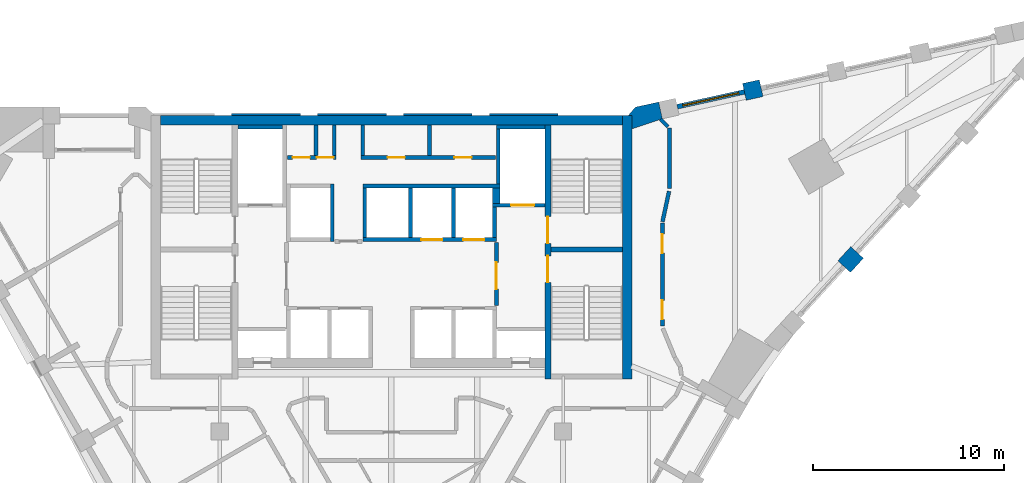
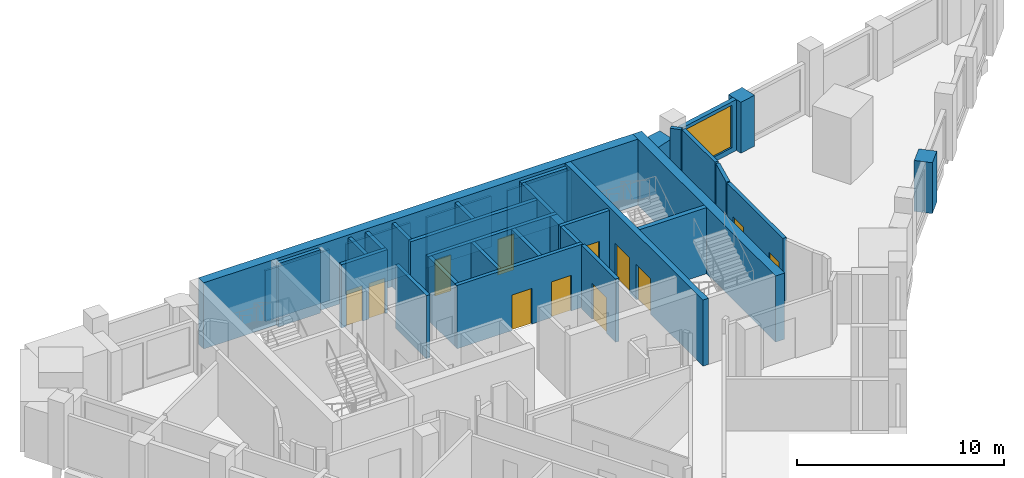
# One storey, part 6 of 8: 35 walls, 12 doors, 1 window, 13 openings.
"""IFC4 building model written with IfcOpenShell, lengths in metres."""

from ifc_helpers import new_model, si_unit, direction, frame, frame_2d, origin, place, context, subcontext, project, spatial, polyline, rectangle, outline, extrude, material, layer, layer_set, type_object, element, fill, save


model = new_model("IFC4")

# Units and contexts
model_context = context("Model", 3, precision=1e-05, world=origin(), true_north=direction((0.0, 1.0)))
body_context = subcontext(model_context, "Body", "Model", "MODEL_VIEW")
ifc_project = project(units=[si_unit("LENGTHUNIT", "METRE"), si_unit("AREAUNIT", "SQUARE_METRE"), si_unit("VOLUMEUNIT", "CUBIC_METRE"), si_unit("PLANEANGLEUNIT", "RADIAN"), si_unit("MASSUNIT", "GRAM", prefix="KILO")], contexts=[model_context])

# Site, building, storey
site_placement = place(None, origin())
site = spatial("IfcSite", under=ifc_project, at=site_placement, CompositionType="ELEMENT")
building_placement = place(site_placement, origin())
building = spatial("IfcBuilding", under=site, at=building_placement, Name="Calabash Gate Tower", CompositionType="ELEMENT")
storey_placement = place(building_placement, frame((0.0, 0.0, 271.60009765625)))
storey = spatial("IfcBuildingStorey", under=building, at=storey_placement, Name="L65", CompositionType="ELEMENT", Elevation=271.60009765625)

# Walls
ifc_material_1 = material(Name="Terracotta brick masonry, exposed face", Category="masonry")
ifc_layer_1 = layer(ifc_material_1, 0.89990234375)
ifc_layer_set_1 = layer_set([ifc_layer_1], Name="Brick end wall 900")
wall_type_1 = type_object("IfcWallType", Name="Brick end wall 900", PredefinedType="SOLIDWALL", material=ifc_layer_set_1)
wall_1_placement = place(storey_placement, frame((23.728515625, 11.135009765625, 0.0), z_axis=(0.0, 0.0, 1.0), x_axis=(0.674788120713, 0.738011512203, 0.0)))
element("IfcWall", 1, at=wall_1_placement, inside=storey, type_object=wall_type_1, Name="Brick pier S19 wedge3.1", PredefinedType="SOLIDWALL", context=body_context, shape_type="SweptSolid", body=[
    extrude(rectangle(XDim=1.00390625, YDim=0.89990234375, at=frame_2d((0.501953125, 0.0))), origin(), (0.0, 0.0, 1.0), 3.0),
])
wall_2_placement = place(storey_placement, frame((18.4990234375, 20.2919921875, 0.0), z_axis=(0.0, 0.0, 1.0), x_axis=(0.976473402733, 0.215637876437, 0.0)))
element("IfcWall", 2, at=wall_2_placement, inside=storey, type_object=wall_type_1, Name="Brick pier S19 wedge5.3", PredefinedType="SOLIDWALL", context=body_context, shape_type="SweptSolid", body=[
    extrude(rectangle(XDim=0.900146484375, YDim=0.89990234375, at=frame_2d((0.4501953125, 0.0))), origin(), (0.0, 0.0, 1.0), 3.0),
])
wall_3_placement = place(storey_placement, origin())
element("IfcWall", 3, at=wall_3_placement, inside=storey, type_object=wall_type_1, Name="Brick end wall S19 3", PredefinedType="SOLIDWALL", context=body_context, shape_type="SweptSolid", body=[
    extrude(outline(polyline([(14.201416015625, 18.883056640625), (14.0078125, 19.761962890625), (12.784423828125, 19.491943359375), (12.410400390625, 19.052490234375), (12.60009765625, 19.052490234375), (12.60009765625, 18.351806640625), (14.201416015625, 18.883056640625)])), origin(), (0.0, 0.0, 1.0), 3.0),
])
ifc_material_2 = material(Name="Gypsum board on steel studs, mineral wool", Category="steel")
ifc_layer_2 = layer(ifc_material_2, 0.199951171875)
ifc_layer_set_2 = layer_set([ifc_layer_2], Name="Core partition 200 gypsum board")
wall_type_2 = type_object("IfcWallType", Name="Core partition 200 gypsum board", PredefinedType="PARTITIONING", material=ifc_layer_set_2)
for number, where, z_axis, x_axis, name in (
    (4, (-3.949951171875, 16.95263671875, 0.0), (0.0, 0.0, 1.0), (0.0, 1.0, 0.0), "Core partition"),
    (5, (-3.0, 16.95263671875, 0.0), (0.0, 0.0, 1.0), (0.0, 1.0, 0.0), "Core partition"),
    (6, (-1.5, 16.95263671875, 0.0), (0.0, 0.0, 1.0), (0.0, 1.0, 0.0), "Core partition"),
    (7, (2.0, 16.95263671875, 0.0), (0.0, 0.0, 1.0), (0.0, 1.0, 0.0), "Core partition"),
):
    element("IfcWall", number, at=place(storey_placement, frame(where, z_axis=z_axis, x_axis=x_axis)), inside=storey, type_object=wall_type_2, Name=name, PredefinedType="PARTITIONING", context=body_context, shape_type="SweptSolid", body=[
        extrude(rectangle(XDim=1.599853515625, YDim=0.199951171875, at=frame_2d((0.7998046875, 0.0))), origin(), (0.0, 0.0, 1.0), 3.72998046875),
    ])
ifc_material_3 = material(Name="Concrete C60/75", Category="concrete")
ifc_layer_3 = layer(ifc_material_3, 0.25)
ifc_layer_set_3 = layer_set([ifc_layer_3], Name="Core wall 250 Concrete C60/75")
wall_type_3 = type_object("IfcWallType", Name="Core wall 250 Concrete C60/75", PredefinedType="SHEAR", material=ifc_layer_set_3)
wall_4_placement = place(storey_placement, frame((8.35009765625, 12.027587890625, 0.0), z_axis=(0.0, 0.0, 1.0), x_axis=(1.0, 0.0, 0.0)))
element("IfcWall", 8, at=wall_4_placement, inside=storey, type_object=wall_type_3, Name="Core wall Z5-MIDE L65", PredefinedType="SHEAR", context=body_context, shape_type="SweptSolid", body=[
    extrude(rectangle(XDim=3.75, YDim=0.25, at=frame_2d((1.875, 0.0))), origin(), (0.0, 0.0, 1.0), 3.89990234375),
])

# Wall, openings, doors
ifc_material_4 = material(Name="Concrete C60/75", Category="concrete")
ifc_layer_4 = layer(ifc_material_4, 0.300048828125)
ifc_layer_set_4 = layer_set([ifc_layer_4], Name="Core wall 300 Concrete C60/75")
wall_type_4 = type_object("IfcWallType", Name="Core wall 300 Concrete C60/75", PredefinedType="SHEAR", material=ifc_layer_set_4)
wall_5_placement = place(storey_placement, frame((8.199951171875, 5.252685546875, 0.0), z_axis=(0.0, 0.0, 1.0), x_axis=(0.0, 1.0, 0.0)))
wall_5 = element("IfcWall", 9, at=wall_5_placement, inside=storey, type_object=wall_type_4, Name="Core wall Z5-PARTE L65", PredefinedType="SHEAR", context=body_context, shape_type="SweptSolid", body=[
    extrude(rectangle(XDim=13.2998046875, YDim=0.300048828125, at=frame_2d((6.64990234375, 0.0))), origin(), (0.0, 0.0, 1.0), 3.89990234375),
])
opening_1_placement = place(wall_5_placement, frame((7.10009765625, 0.0, 0.0)))
opening_1 = element("IfcOpeningElement", 10, at=opening_1_placement, cuts=wall_5, Name="Opening O11-012", PredefinedType="OPENING", context=body_context, shape_type="SweptSolid", body=[
    extrude(rectangle(XDim=1.39990234375, YDim=2.10009765625, at=frame_2d((0.699951171875, 1.050048828125))), frame((0.0, 0.159912109375, 0.0), z_axis=(0.0, -1.0, 0.0), x_axis=(1.0, 0.0, 0.0)), (0.0, 0.0, 1.0), 0.320068359375),
])
opening_2_placement = place(wall_5_placement, frame((5.050048828125, 0.0, 0.0)))
opening_2 = element("IfcOpeningElement", 11, at=opening_2_placement, cuts=wall_5, Name="Opening O11-013", PredefinedType="OPENING", context=body_context, shape_type="SweptSolid", body=[
    extrude(rectangle(XDim=1.39990234375, YDim=2.10009765625, at=frame_2d((0.699951171875, 1.050048828125))), frame((0.0, 0.159912109375, 0.0), z_axis=(0.0, -1.0, 0.0), x_axis=(1.0, 0.0, 0.0)), (0.0, 0.0, 1.0), 0.320068359375),
])
ifc_material_5 = material(Name="Steel fire door set with fire-resisting glazing", Category="steel")
door_type_1 = type_object("IfcDoorType", Name="Fire door D05 1400x2100 FD90", OperationType="NOTDEFINED", PredefinedType="DOOR", material=ifc_material_5)
door_1_placement = place(opening_1_placement, origin())
door_1 = element("IfcDoor", 12, at=door_1_placement, inside=storey, type_object=door_type_1, Name="Exit stair door ST3", OperationType="SINGLE_SWING_RIGHT", OverallHeight=2.10009765625, OverallWidth=1.39990234375, PredefinedType="DOOR", context=body_context, shape_type="SweptSolid", body=[
    extrude(rectangle(XDim=1.39990234375, YDim=2.10009765625, at=frame_2d((0.699951171875, 1.050048828125))), frame((0.0, 0.02490234375, 0.0), z_axis=(0.0, -1.0, 0.0), x_axis=(1.0, 0.0, 0.0)), (0.0, 0.0, 1.0), 0.050048828125),
])
fill(opening_1, door_1)
door_2_placement = place(opening_2_placement, origin())
door_2 = element("IfcDoor", 13, at=door_2_placement, inside=storey, type_object=door_type_1, Name="Exit stair door ST4", OperationType="SINGLE_SWING_LEFT", OverallHeight=2.10009765625, OverallWidth=1.39990234375, PredefinedType="DOOR", context=body_context, shape_type="SweptSolid", body=[
    extrude(rectangle(XDim=1.39990234375, YDim=2.10009765625, at=frame_2d((0.699951171875, 1.050048828125))), frame((0.0, 0.02490234375, 0.0), z_axis=(0.0, -1.0, 0.0), x_axis=(1.0, 0.0, 0.0)), (0.0, 0.0, 1.0), 0.050048828125),
])
fill(opening_2, door_2)

# Walls
ifc_material_6 = material(Name="Concrete C60/75", Category="concrete")
ifc_layer_5 = layer(ifc_material_6, 0.5)
ifc_layer_set_5 = layer_set([ifc_layer_5], Name="Core wall 500 Concrete C60/75")
wall_type_5 = type_object("IfcWallType", Name="Core wall 500 Concrete C60/75", PredefinedType="SHEAR", material=ifc_layer_set_5)
wall_6_placement = place(storey_placement, frame((-12.10009765625, 18.802490234375, 0.0), z_axis=(0.0, 0.0, 1.0), x_axis=(1.0, 0.0, 0.0)))
element("IfcWall", 14, at=wall_6_placement, inside=storey, type_object=wall_type_5, Name="Core wall Z5-N L65", PredefinedType="SHEAR", context=body_context, shape_type="SweptSolid", body=[
    extrude(rectangle(XDim=24.2001953125, YDim=0.5, at=frame_2d((12.10009765625, 0.0))), origin(), (0.0, 0.0, 1.0), 3.89990234375),
])
wall_7_placement = place(storey_placement, frame((12.35009765625, 5.252685546875, 0.0), z_axis=(0.0, 0.0, 1.0), x_axis=(0.0, 1.0, 0.0)))
element("IfcWall", 15, at=wall_7_placement, inside=storey, type_object=wall_type_5, Name="Core wall Z5-COLE L65", PredefinedType="SHEAR", context=body_context, shape_type="SweptSolid", body=[
    extrude(rectangle(XDim=13.7998046875, YDim=0.5, at=frame_2d((6.89990234375, 0.0))), origin(), (0.0, 0.0, 1.0), 3.89990234375),
])

# Wall, openings, doors
ifc_material_7 = material(Name="Gypsum board on steel studs, mineral wool", Category="steel")
ifc_layer_6 = layer(ifc_material_7, 0.199951171875)
ifc_layer_set_6 = layer_set([ifc_layer_6], Name="Partition 200 gypsum board EI 60")
wall_type_6 = type_object("IfcWallType", Name="Partition 200 gypsum board EI 60", PredefinedType="PARTITIONING", material=ifc_layer_set_6)
wall_8_placement = place(storey_placement, frame((14.200439453125, 8.017333984375, 0.0), z_axis=(0.0, 0.0, 1.0), x_axis=(0.0, 1.0, 0.0)))
wall_8 = element("IfcWall", 16, at=wall_8_placement, inside=storey, type_object=wall_type_6, Name="Partition", PredefinedType="PARTITIONING", context=body_context, shape_type="SweptSolid", body=[
    extrude(rectangle(XDim=5.400146484375, YDim=0.199951171875, at=frame_2d((2.7001953125, 0.0))), origin(), (0.0, 0.0, 1.0), 3.72998046875),
])
opening_3_placement = place(wall_8_placement, frame((3.8203125, 0.0, 0.0)))
opening_3 = element("IfcOpeningElement", 17, at=opening_3_placement, cuts=wall_8, Name="Opening 65-66-007", PredefinedType="OPENING", context=body_context, shape_type="SweptSolid", body=[
    extrude(rectangle(XDim=1.0, YDim=2.10009765625, at=frame_2d((0.5, 1.050048828125))), frame((0.0, 0.10986328125, 0.0), z_axis=(0.0, -1.0, 0.0), x_axis=(1.0, 0.0, 0.0)), (0.0, 0.0, 1.0), 0.219970703125),
])
opening_4_placement = place(wall_8_placement, frame((0.35009765625, 0.0, 0.0)))
opening_4 = element("IfcOpeningElement", 18, at=opening_4_placement, cuts=wall_8, Name="Opening 65-66-008", PredefinedType="OPENING", context=body_context, shape_type="SweptSolid", body=[
    extrude(rectangle(XDim=1.0, YDim=2.10009765625, at=frame_2d((0.5, 1.050048828125))), frame((0.0, 0.10986328125, 0.0), z_axis=(0.0, -1.0, 0.0), x_axis=(1.0, 0.0, 0.0)), (0.0, 0.0, 1.0), 0.219970703125),
])
ifc_material_8 = material(Name="Steel fire door set with fire-resisting glazing", Category="steel")
door_type_2 = type_object("IfcDoorType", Name="LD2 Meeting room door 1000x2100", OperationType="NOTDEFINED", PredefinedType="DOOR", material=ifc_material_8)
door_3_placement = place(opening_3_placement, origin())
door_3 = element("IfcDoor", 19, at=door_3_placement, inside=storey, type_object=door_type_2, Name="Meeting room door", OperationType="SINGLE_SWING_RIGHT", OverallHeight=2.10009765625, OverallWidth=1.0, PredefinedType="DOOR", context=body_context, shape_type="SweptSolid", body=[
    extrude(rectangle(XDim=1.0, YDim=2.10009765625, at=frame_2d((0.5, 1.050048828125))), frame((0.0, 0.02490234375, 0.0), z_axis=(0.0, -1.0, 0.0), x_axis=(1.0, 0.0, 0.0)), (0.0, 0.0, 1.0), 0.050048828125),
])
fill(opening_3, door_3)
door_4_placement = place(opening_4_placement, origin())
door_4 = element("IfcDoor", 20, at=door_4_placement, inside=storey, type_object=door_type_2, Name="Meeting room door", OperationType="SINGLE_SWING_LEFT", OverallHeight=2.10009765625, OverallWidth=1.0, PredefinedType="DOOR", context=body_context, shape_type="SweptSolid", body=[
    extrude(rectangle(XDim=1.0, YDim=2.10009765625, at=frame_2d((0.5, 1.050048828125))), frame((0.0, 0.02490234375, 0.0), z_axis=(0.0, -1.0, 0.0), x_axis=(1.0, 0.0, 0.0)), (0.0, 0.0, 1.0), 0.050048828125),
])
fill(opening_4, door_4)

# Walls
wall_9_placement = place(storey_placement, frame((14.2080078125, 13.48681640625, 0.0), z_axis=(0.0, 0.0, 1.0), x_axis=(0.210294567168, 0.977638069543, 0.0)))
element("IfcWall", 21, at=wall_9_placement, inside=storey, type_object=wall_type_6, Name="Partition", PredefinedType="PARTITIONING", context=body_context, shape_type="SweptSolid", body=[
    extrude(rectangle(XDim=1.633544921875, YDim=0.199951171875, at=frame_2d((0.81689453125, 0.0))), origin(), (0.0, 0.0, 1.0), 3.72998046875),
])
wall_10_placement = place(storey_placement, frame((14.566162109375, 18.392578125, 0.0), z_axis=(0.0, 0.0, 1.0), x_axis=(0.0, -1.0, 0.0)))
element("IfcWall", 22, at=wall_10_placement, inside=storey, type_object=wall_type_6, Name="Partition", PredefinedType="PARTITIONING", context=body_context, shape_type="SweptSolid", body=[
    extrude(rectangle(XDim=3.169921875, YDim=0.199951171875, at=frame_2d((1.5849609375, 0.0))), origin(), (0.0, 0.0, 1.0), 3.72998046875),
])
wall_11_placement = place(storey_placement, frame((14.107177734375, 18.851806640625, 0.0), z_axis=(0.0, 0.0, 1.0), x_axis=(0.707106781187, -0.707106781187, 0.0)))
element("IfcWall", 23, at=wall_11_placement, inside=storey, type_object=wall_type_6, Name="Partition", PredefinedType="PARTITIONING", context=body_context, shape_type="SweptSolid", body=[
    extrude(rectangle(XDim=0.54931640625, YDim=0.199951171875, at=frame_2d((0.274658203125, 0.0))), origin(), (0.0, 0.0, 1.0), 3.72998046875),
])

# Wall, opening, window
ifc_material_9 = material(Name="Aluminium framed window wall with insulated spandrel", Category="aluminium")
ifc_layer_7 = layer(ifc_material_9, 0.25)
ifc_layer_set_7 = layer_set([ifc_layer_7], Name="Prow window wall 250")
wall_type_7 = type_object("IfcWallType", Name="Prow window wall 250", PredefinedType="ELEMENTEDWALL", material=ifc_layer_set_7)
wall_12_placement = place(storey_placement, frame((18.4990234375, 20.2919921875, 0.0), z_axis=(0.0, 0.0, 1.0), x_axis=(-0.976513072969, -0.215458159096, 0.0)))
wall_12 = element("IfcWall", 24, at=wall_12_placement, inside=storey, type_object=wall_type_7, Name="Prow window wall S19 wedge5.4", PredefinedType="ELEMENTEDWALL", context=body_context, shape_type="SweptSolid", body=[
    extrude(rectangle(XDim=3.599853515625, YDim=0.25, at=frame_2d((1.7998046875, 0.0))), origin(), (0.0, 0.0, 1.0), 3.0),
])
opening_5_placement = place(wall_12_placement, frame((0.300048828125, 0.0, 0.300048828125)))
opening_5 = element("IfcOpeningElement", 25, at=opening_5_placement, cuts=wall_12, Name="Opening WP2", PredefinedType="OPENING", context=body_context, shape_type="SweptSolid", body=[
    extrude(rectangle(XDim=3.0, YDim=2.5, at=frame_2d((1.5, 1.25))), frame((0.0, 0.135009765625, 0.0), z_axis=(0.0, -1.0, 0.0), x_axis=(1.0, 0.0, 0.0)), (0.0, 0.0, 1.0), 0.27001953125),
])
ifc_material_10 = material(Name="Anodised aluminium frame, bronze finish, impact-rated laminated clear glazing", Category="aluminium")
window_type = type_object("IfcWindowType", Name="Window WP2 3000x2500", PartitioningType="DOUBLE_PANEL_VERTICAL", PredefinedType="WINDOW", material=ifc_material_10)
window_placement = place(opening_5_placement, origin())
window = element("IfcWindow", 26, at=window_placement, inside=storey, type_object=window_type, Name="Prow window WP2 S19 wedge5.4", OverallHeight=2.5, OverallWidth=3.0, PartitioningType="SINGLE_PANEL", PredefinedType="WINDOW", context=body_context, shape_type="SweptSolid", body=[
    extrude(rectangle(XDim=3.0, YDim=2.5, at=frame_2d((1.5, 1.25))), frame((0.0, 0.030029296875, 0.0), z_axis=(0.0, -1.0, 0.0), x_axis=(1.0, 0.0, 0.0)), (0.0, 0.0, 1.0), 0.06005859375),
])
fill(opening_5, window)

# Wall, opening, door
ifc_material_11 = material(Name="Concrete C40/50", Category="concrete")
ifc_layer_8 = layer(ifc_material_11, 0.199951171875)
ifc_layer_set_8 = layer_set([ifc_layer_8], Name="Shaft wall 200 Concrete C40/50")
wall_type_8 = type_object("IfcWallType", Name="Shaft wall 200 Concrete C40/50", PredefinedType="SOLIDWALL", material=ifc_layer_set_8)
wall_13_placement = place(storey_placement, frame((5.5, 9.1025390625, 0.0), z_axis=(0.0, 0.0, 1.0), x_axis=(0.0, 1.0, 0.0)))
wall_13 = element("IfcWall", 27, at=wall_13_placement, inside=storey, type_object=wall_type_8, Name="Shaft wall", PredefinedType="SOLIDWALL", context=body_context, shape_type="SweptSolid", body=[
    extrude(rectangle(XDim=3.300048828125, YDim=0.199951171875, at=frame_2d((1.64990234375, 0.0))), origin(), (0.0, 0.0, 1.0), 3.72998046875),
])
opening_6_placement = place(wall_13_placement, frame((0.85009765625, 0.0, 0.0)))
opening_6 = element("IfcOpeningElement", 28, at=opening_6_placement, cuts=wall_13, Name="Opening O11-002", PredefinedType="OPENING", context=body_context, shape_type="SweptSolid", body=[
    extrude(rectangle(XDim=1.39990234375, YDim=2.10009765625, at=frame_2d((0.699951171875, 1.050048828125))), frame((0.0, 0.10986328125, 0.0), z_axis=(0.0, -1.0, 0.0), x_axis=(1.0, 0.0, 0.0)), (0.0, 0.0, 1.0), 0.219970703125),
])
door_5_placement = place(opening_6_placement, origin())
door_5 = element("IfcDoor", 29, at=door_5_placement, inside=storey, type_object=door_type_1, Name="Firefighting Lobby E door", OperationType="SINGLE_SWING_LEFT", OverallHeight=2.10009765625, OverallWidth=1.39990234375, PredefinedType="DOOR", context=body_context, shape_type="SweptSolid", body=[
    extrude(rectangle(XDim=1.39990234375, YDim=2.10009765625, at=frame_2d((0.699951171875, 1.050048828125))), frame((0.0, 0.02490234375, 0.0), z_axis=(0.0, -1.0, 0.0), x_axis=(1.0, 0.0, 0.0)), (0.0, 0.0, 1.0), 0.050048828125),
])
fill(opening_6, door_5)

# Wall
wall_14_placement = place(storey_placement, frame((-3.10009765625, 12.45263671875, 0.0), z_axis=(0.0, 0.0, 1.0), x_axis=(0.0, 1.0, 0.0)))
element("IfcWall", 30, at=wall_14_placement, inside=storey, type_object=wall_type_8, Name="Shaft wall", PredefinedType="SOLIDWALL", context=body_context, shape_type="SweptSolid", body=[
    extrude(rectangle(XDim=3.0, YDim=0.199951171875, at=frame_2d((1.5, 0.0))), origin(), (0.0, 0.0, 1.0), 3.72998046875),
])

# Wall, openings, doors
wall_15_placement = place(storey_placement, frame((-1.5, 12.552490234375, 0.0), z_axis=(0.0, 0.0, 1.0), x_axis=(1.0, 0.0, 0.0)))
wall_15 = element("IfcWall", 31, at=wall_15_placement, inside=storey, type_object=wall_type_8, Name="Shaft wall", PredefinedType="SOLIDWALL", context=body_context, shape_type="SweptSolid", body=[
    extrude(rectangle(XDim=7.0, YDim=0.199951171875, at=frame_2d((3.5, 0.0))), origin(), (0.0, 0.0, 1.0), 3.72998046875),
])
opening_7_placement = place(wall_15_placement, frame((3.074951171875, 0.0, 0.0)))
opening_7 = element("IfcOpeningElement", 32, at=opening_7_placement, cuts=wall_15, Name="Opening LD-HR5", PredefinedType="OPENING", context=body_context, shape_type="SweptSolid", body=[
    extrude(rectangle(XDim=1.10009765625, YDim=2.10009765625, at=frame_2d((0.550048828125, 1.050048828125))), frame((0.0, 0.10986328125, 0.0), z_axis=(0.0, -1.0, 0.0), x_axis=(1.0, 0.0, 0.0)), (0.0, 0.0, 1.0), 0.219970703125),
])
opening_8_placement = place(wall_15_placement, frame((5.27490234375, 0.0, 0.0)))
opening_8 = element("IfcOpeningElement", 33, at=opening_8_placement, cuts=wall_15, Name="Opening LD-HR6", PredefinedType="OPENING", context=body_context, shape_type="SweptSolid", body=[
    extrude(rectangle(XDim=1.10009765625, YDim=2.10009765625, at=frame_2d((0.550048828125, 1.050048828125))), frame((0.0, 0.10986328125, 0.0), z_axis=(0.0, -1.0, 0.0), x_axis=(1.0, 0.0, 0.0)), (0.0, 0.0, 1.0), 0.219970703125),
])
ifc_material_12 = material(Name="Stainless steel sliding door leaves", Category="steel")
door_type_3 = type_object("IfcDoorType", Name="Lift landing door LS1 1100x2100 FD90", OperationType="DOUBLE_DOOR_SLIDING", PredefinedType="DOOR", material=ifc_material_12)
door_6_placement = place(opening_7_placement, origin())
door_6 = element("IfcDoor", 34, at=door_6_placement, inside=storey, type_object=door_type_3, Name="Lift landing door HR5", OperationType="DOUBLE_DOOR_SLIDING", OverallHeight=2.10009765625, OverallWidth=1.10009765625, PredefinedType="DOOR", context=body_context, shape_type="SweptSolid", body=[
    extrude(rectangle(XDim=1.10009765625, YDim=2.10009765625, at=frame_2d((0.550048828125, 1.050048828125))), frame((0.0, 0.02490234375, 0.0), z_axis=(0.0, -1.0, 0.0), x_axis=(1.0, 0.0, 0.0)), (0.0, 0.0, 1.0), 0.050048828125),
])
fill(opening_7, door_6)
door_7_placement = place(opening_8_placement, origin())
door_7 = element("IfcDoor", 35, at=door_7_placement, inside=storey, type_object=door_type_3, Name="Lift landing door HR6", OperationType="DOUBLE_DOOR_SLIDING", OverallHeight=2.10009765625, OverallWidth=1.10009765625, PredefinedType="DOOR", context=body_context, shape_type="SweptSolid", body=[
    extrude(rectangle(XDim=1.10009765625, YDim=2.10009765625, at=frame_2d((0.550048828125, 1.050048828125))), frame((0.0, 0.02490234375, 0.0), z_axis=(0.0, -1.0, 0.0), x_axis=(1.0, 0.0, 0.0)), (0.0, 0.0, 1.0), 0.050048828125),
])
fill(opening_8, door_7)

# Walls
for number, where, z_axis, x_axis, name in (
    (36, (-1.39990234375, 12.652587890625, 0.0), (0.0, 0.0, 1.0), (0.0, 1.0, 0.0), "Shaft wall"),
    (37, (1.0, 12.652587890625, 0.0), (0.0, 0.0, 1.0), (0.0, 1.0, 0.0), "Shaft wall"),
    (38, (3.25, 12.652587890625, 0.0), (0.0, 0.0, 1.0), (0.0, 1.0, 0.0), "Shaft wall"),
):
    element("IfcWall", number, at=place(storey_placement, frame(where, z_axis=z_axis, x_axis=x_axis)), inside=storey, type_object=wall_type_8, Name=name, PredefinedType="SOLIDWALL", context=body_context, shape_type="SweptSolid", body=[
        extrude(rectangle(XDim=2.60009765625, YDim=0.199951171875, at=frame_2d((1.300048828125, 0.0))), origin(), (0.0, 0.0, 1.0), 3.72998046875),
    ])
wall_16_placement = place(storey_placement, frame((5.39990234375, 12.652587890625, 0.0), z_axis=(0.0, 0.0, 1.0), x_axis=(0.0, 1.0, 0.0)))
element("IfcWall", 39, at=wall_16_placement, inside=storey, type_object=wall_type_8, Name="Shaft wall", PredefinedType="SOLIDWALL", context=body_context, shape_type="SweptSolid", body=[
    extrude(rectangle(XDim=1.60009765625, YDim=0.199951171875, at=frame_2d((0.800048828125, 0.0))), origin(), (0.0, 0.0, 1.0), 3.72998046875),
])

# Wall, opening, door
wall_17_placement = place(storey_placement, frame((5.300048828125, 14.3525390625, 0.0), z_axis=(0.0, 0.0, 1.0), x_axis=(1.0, 0.0, 0.0)))
wall_17 = element("IfcWall", 40, at=wall_17_placement, inside=storey, type_object=wall_type_8, Name="Shaft wall", PredefinedType="SOLIDWALL", context=body_context, shape_type="SweptSolid", body=[
    extrude(rectangle(XDim=2.75, YDim=0.199951171875, at=frame_2d((1.375, 0.0))), origin(), (0.0, 0.0, 1.0), 3.72998046875),
])
opening_9_placement = place(wall_17_placement, frame((0.97509765625, 0.0, 0.0)))
opening_9 = element("IfcOpeningElement", 41, at=opening_9_placement, cuts=wall_17, Name="Opening LD-FF2", PredefinedType="OPENING", context=body_context, shape_type="SweptSolid", body=[
    extrude(rectangle(XDim=1.199951171875, YDim=2.10009765625, at=frame_2d((0.60009765625, 1.050048828125))), frame((0.0, 0.10986328125, 0.0), z_axis=(0.0, -1.0, 0.0), x_axis=(1.0, 0.0, 0.0)), (0.0, 0.0, 1.0), 0.219970703125),
])
ifc_material_13 = material(Name="Stainless steel sliding door leaves", Category="steel")
door_type_4 = type_object("IfcDoorType", Name="Lift landing door LS3 1200x2100 FD90", OperationType="DOUBLE_DOOR_SLIDING", PredefinedType="DOOR", material=ifc_material_13)
door_8_placement = place(opening_9_placement, origin())
door_8 = element("IfcDoor", 42, at=door_8_placement, inside=storey, type_object=door_type_4, Name="Lift landing door FF2", OperationType="DOUBLE_DOOR_SLIDING", OverallHeight=2.10009765625, OverallWidth=1.199951171875, PredefinedType="DOOR", context=body_context, shape_type="SweptSolid", body=[
    extrude(rectangle(XDim=1.199951171875, YDim=2.10009765625, at=frame_2d((0.60009765625, 1.050048828125))), frame((0.0, 0.02490234375, 0.0), z_axis=(0.0, -1.0, 0.0), x_axis=(1.0, 0.0, 0.0)), (0.0, 0.0, 1.0), 0.050048828125),
])
fill(opening_9, door_8)

# Walls
wall_18_placement = place(storey_placement, frame((5.5, 14.45263671875, 0.0), z_axis=(0.0, 0.0, 1.0), x_axis=(0.0, 1.0, 0.0)))
element("IfcWall", 43, at=wall_18_placement, inside=storey, type_object=wall_type_8, Name="Shaft wall", PredefinedType="SOLIDWALL", context=body_context, shape_type="SweptSolid", body=[
    extrude(rectangle(XDim=0.800048828125, YDim=0.39990234375, at=frame_2d((0.39990234375, 0.0))), origin(), (0.0, 0.0, 1.0), 3.72998046875),
])
wall_19_placement = place(storey_placement, frame((-1.5, 15.3525390625, 0.0), z_axis=(0.0, 0.0, 1.0), x_axis=(1.0, 0.0, 0.0)))
element("IfcWall", 44, at=wall_19_placement, inside=storey, type_object=wall_type_8, Name="Shaft wall", PredefinedType="SOLIDWALL", context=body_context, shape_type="SweptSolid", body=[
    extrude(rectangle(XDim=7.199951171875, YDim=0.199951171875, at=frame_2d((3.60009765625, 0.0))), origin(), (0.0, 0.0, 1.0), 3.72998046875),
])
wall_20_placement = place(storey_placement, frame((5.60009765625, 15.45263671875, 0.0), z_axis=(0.0, 0.0, 1.0), x_axis=(0.0, 1.0, 0.0)))
element("IfcWall", 45, at=wall_20_placement, inside=storey, type_object=wall_type_8, Name="Shaft wall", PredefinedType="SOLIDWALL", context=body_context, shape_type="SweptSolid", body=[
    extrude(rectangle(XDim=2.89990234375, YDim=0.199951171875, at=frame_2d((1.449951171875, 0.0))), origin(), (0.0, 0.0, 1.0), 3.72998046875),
])

# Wall, openings, doors
wall_21_placement = place(storey_placement, frame((-5.449951171875, 16.8525390625, 0.0), z_axis=(0.0, 0.0, 1.0), x_axis=(1.0, 0.0, 0.0)))
wall_21 = element("IfcWall", 46, at=wall_21_placement, inside=storey, type_object=wall_type_8, Name="Shaft wall", PredefinedType="SOLIDWALL", context=body_context, shape_type="SweptSolid", body=[
    extrude(rectangle(XDim=2.550048828125, YDim=0.199951171875, at=frame_2d((1.27490234375, 0.0))), origin(), (0.0, 0.0, 1.0), 3.72998046875),
])
opening_10_placement = place(wall_21_placement, frame((0.27490234375, 0.0, 0.0)))
opening_10 = element("IfcOpeningElement", 47, at=opening_10_placement, cuts=wall_21, Name="Opening O11-004", PredefinedType="OPENING", context=body_context, shape_type="SweptSolid", body=[
    extrude(rectangle(XDim=0.89990234375, YDim=2.10009765625, at=frame_2d((0.449951171875, 1.050048828125))), frame((0.0, 0.10986328125, 0.0), z_axis=(0.0, -1.0, 0.0), x_axis=(1.0, 0.0, 0.0)), (0.0, 0.0, 1.0), 0.219970703125),
])
opening_11_placement = place(wall_21_placement, frame((1.52490234375, 0.0, 0.0)))
opening_11 = element("IfcOpeningElement", 48, at=opening_11_placement, cuts=wall_21, Name="Opening O11-005", PredefinedType="OPENING", context=body_context, shape_type="SweptSolid", body=[
    extrude(rectangle(XDim=0.89990234375, YDim=2.10009765625, at=frame_2d((0.449951171875, 1.050048828125))), frame((0.0, 0.10986328125, 0.0), z_axis=(0.0, -1.0, 0.0), x_axis=(1.0, 0.0, 0.0)), (0.0, 0.0, 1.0), 0.219970703125),
])
ifc_material_14 = material(Name="Steel fire door set with fire-resisting glazing", Category="steel")
door_type_5 = type_object("IfcDoorType", Name="Fire door D06 900x2100 FD60", OperationType="NOTDEFINED", PredefinedType="DOOR", material=ifc_material_14)
door_9_placement = place(opening_10_placement, origin())
door_9 = element("IfcDoor", 49, at=door_9_placement, inside=storey, type_object=door_type_5, Name="Accessible WC door", OperationType="SINGLE_SWING_LEFT", OverallHeight=2.10009765625, OverallWidth=0.89990234375, PredefinedType="DOOR", context=body_context, shape_type="SweptSolid", body=[
    extrude(rectangle(XDim=0.89990234375, YDim=2.10009765625, at=frame_2d((0.449951171875, 1.050048828125))), frame((0.0, 0.02490234375, 0.0), z_axis=(0.0, -1.0, 0.0), x_axis=(1.0, 0.0, 0.0)), (0.0, 0.0, 1.0), 0.050048828125),
])
fill(opening_10, door_9)
door_10_placement = place(opening_11_placement, origin())
door_10 = element("IfcDoor", 50, at=door_10_placement, inside=storey, type_object=door_type_5, Name="Cleaner's Store door", OperationType="SINGLE_SWING_LEFT", OverallHeight=2.10009765625, OverallWidth=0.89990234375, PredefinedType="DOOR", context=body_context, shape_type="SweptSolid", body=[
    extrude(rectangle(XDim=0.89990234375, YDim=2.10009765625, at=frame_2d((0.449951171875, 1.050048828125))), frame((0.0, 0.02490234375, 0.0), z_axis=(0.0, -1.0, 0.0), x_axis=(1.0, 0.0, 0.0)), (0.0, 0.0, 1.0), 0.050048828125),
])
fill(opening_11, door_10)

wall_22_placement = place(storey_placement, frame((-1.60009765625, 16.8525390625, 0.0), z_axis=(0.0, 0.0, 1.0), x_axis=(1.0, 0.0, 0.0)))
wall_22 = element("IfcWall", 51, at=wall_22_placement, inside=storey, type_object=wall_type_8, Name="Shaft wall", PredefinedType="SOLIDWALL", context=body_context, shape_type="SweptSolid", body=[
    extrude(rectangle(XDim=7.050048828125, YDim=0.199951171875, at=frame_2d((3.52490234375, 0.0))), origin(), (0.0, 0.0, 1.0), 3.72998046875),
])
opening_12_placement = place(wall_22_placement, frame((1.39990234375, 0.0, 0.0)))
opening_12 = element("IfcOpeningElement", 52, at=opening_12_placement, cuts=wall_22, Name="Opening O11-006", PredefinedType="OPENING", context=body_context, shape_type="SweptSolid", body=[
    extrude(rectangle(XDim=0.89990234375, YDim=2.10009765625, at=frame_2d((0.449951171875, 1.050048828125))), frame((0.0, 0.10986328125, 0.0), z_axis=(0.0, -1.0, 0.0), x_axis=(1.0, 0.0, 0.0)), (0.0, 0.0, 1.0), 0.219970703125),
])
opening_13_placement = place(wall_22_placement, frame((4.89990234375, 0.0, 0.0)))
opening_13 = element("IfcOpeningElement", 53, at=opening_13_placement, cuts=wall_22, Name="Opening O11-007", PredefinedType="OPENING", context=body_context, shape_type="SweptSolid", body=[
    extrude(rectangle(XDim=0.89990234375, YDim=2.10009765625, at=frame_2d((0.449951171875, 1.050048828125))), frame((0.0, 0.10986328125, 0.0), z_axis=(0.0, -1.0, 0.0), x_axis=(1.0, 0.0, 0.0)), (0.0, 0.0, 1.0), 0.219970703125),
])
door_11_placement = place(opening_12_placement, origin())
door_11 = element("IfcDoor", 54, at=door_11_placement, inside=storey, type_object=door_type_5, Name="Tenant Pantry door", OperationType="SINGLE_SWING_LEFT", OverallHeight=2.10009765625, OverallWidth=0.89990234375, PredefinedType="DOOR", context=body_context, shape_type="SweptSolid", body=[
    extrude(rectangle(XDim=0.89990234375, YDim=2.10009765625, at=frame_2d((0.449951171875, 1.050048828125))), frame((0.0, 0.02490234375, 0.0), z_axis=(0.0, -1.0, 0.0), x_axis=(1.0, 0.0, 0.0)), (0.0, 0.0, 1.0), 0.050048828125),
])
fill(opening_12, door_11)
door_12_placement = place(opening_13_placement, origin())
door_12 = element("IfcDoor", 55, at=door_12_placement, inside=storey, type_object=door_type_5, Name="Comms Room door", OperationType="SINGLE_SWING_LEFT", OverallHeight=2.10009765625, OverallWidth=0.89990234375, PredefinedType="DOOR", context=body_context, shape_type="SweptSolid", body=[
    extrude(rectangle(XDim=0.89990234375, YDim=2.10009765625, at=frame_2d((0.449951171875, 1.050048828125))), frame((0.0, 0.02490234375, 0.0), z_axis=(0.0, -1.0, 0.0), x_axis=(1.0, 0.0, 0.0)), (0.0, 0.0, 1.0), 0.050048828125),
])
fill(opening_13, door_12)

# Walls
wall_23_placement = place(storey_placement, frame((-8.050048828125, 18.45263671875, 0.0), z_axis=(0.0, 0.0, 1.0), x_axis=(1.0, 0.0, 0.0)))
element("IfcWall", 56, at=wall_23_placement, inside=storey, type_object=wall_type_8, Name="Shaft wall", PredefinedType="SOLIDWALL", context=body_context, shape_type="SweptSolid", body=[
    extrude(rectangle(XDim=2.35009765625, YDim=0.199951171875, at=frame_2d((1.175048828125, 0.0))), origin(), (0.0, 0.0, 1.0), 3.72998046875),
])
wall_24_placement = place(storey_placement, frame((5.5, 18.45263671875, 0.0), z_axis=(0.0, 0.0, 1.0), x_axis=(1.0, 0.0, 0.0)))
element("IfcWall", 57, at=wall_24_placement, inside=storey, type_object=wall_type_8, Name="Shaft wall", PredefinedType="SOLIDWALL", context=body_context, shape_type="SweptSolid", body=[
    extrude(rectangle(XDim=2.550048828125, YDim=0.199951171875, at=frame_2d((1.27490234375, 0.0))), origin(), (0.0, 0.0, 1.0), 3.72998046875),
])
ifc_material_15 = material(Name="Terracotta brick masonry, perforated", Category="masonry")
ifc_layer_9 = layer(ifc_material_15, 0.1201171875)
ifc_layer_set_9 = layer_set([ifc_layer_9], Name="Terracotta jaali cladding A 120")
wall_type_9 = type_object("IfcWallType", Name="Terracotta jaali cladding A 120", PredefinedType="SOLIDWALL", material=ifc_layer_set_9)
wall_25_placement = place(storey_placement, origin())
element("IfcWall", 58, at=wall_25_placement, inside=storey, type_object=wall_type_9, Name="Jaali cladding S19 N6.1", PredefinedType="SOLIDWALL", context=body_context, shape_type="SweptSolid", body=[
    extrude(outline(polyline([(5.12841796875, 19.172607421875), (5.12841796875, 19.052490234375), (8.728515625, 19.052490234375), (8.728515625, 19.172607421875), (5.12841796875, 19.172607421875)])), origin(), (0.0, 0.0, 1.0), 3.0),
])
wall_26_placement = place(storey_placement, origin())
element("IfcWall", 59, at=wall_26_placement, inside=storey, type_object=wall_type_9, Name="Jaali cladding S19 N6.3", PredefinedType="SOLIDWALL", context=body_context, shape_type="SweptSolid", body=[
    extrude(outline(polyline([(-3.87158203125, 19.172607421875), (-3.87158203125, 19.052490234375), (-0.271484375, 19.052490234375), (-0.271484375, 19.172607421875), (-3.87158203125, 19.172607421875)])), origin(), (0.0, 0.0, 1.0), 3.0),
])
ifc_material_16 = material(Name="Terracotta louvre blades in an aluminium frame", Category="masonry")
ifc_layer_10 = layer(ifc_material_16, 0.1201171875)
ifc_layer_set_10 = layer_set([ifc_layer_10], Name="Terracotta vent louvre cladding 120")
wall_type_10 = type_object("IfcWallType", Name="Terracotta vent louvre cladding 120", PredefinedType="ELEMENTEDWALL", material=ifc_layer_set_10)
wall_27_placement = place(storey_placement, origin())
element("IfcWall", 60, at=wall_27_placement, inside=storey, type_object=wall_type_10, Name="Vent louvre cladding S19 N6.2", PredefinedType="ELEMENTEDWALL", context=body_context, shape_type="SweptSolid", body=[
    extrude(outline(polyline([(0.62841796875, 19.172607421875), (0.62841796875, 19.052490234375), (4.228515625, 19.052490234375), (4.228515625, 19.172607421875), (0.62841796875, 19.172607421875)])), origin(), (0.0, 0.0, 1.0), 3.0),
])
wall_28_placement = place(storey_placement, origin())
element("IfcWall", 61, at=wall_28_placement, inside=storey, type_object=wall_type_10, Name="Vent louvre cladding S19 N6.4", PredefinedType="ELEMENTEDWALL", context=body_context, shape_type="SweptSolid", body=[
    extrude(outline(polyline([(-8.37158203125, 19.172607421875), (-8.37158203125, 19.052490234375), (-4.771484375, 19.052490234375), (-4.771484375, 19.172607421875), (-8.37158203125, 19.172607421875)])), origin(), (0.0, 0.0, 1.0), 3.0),
])

save(model, "model.ifc")
